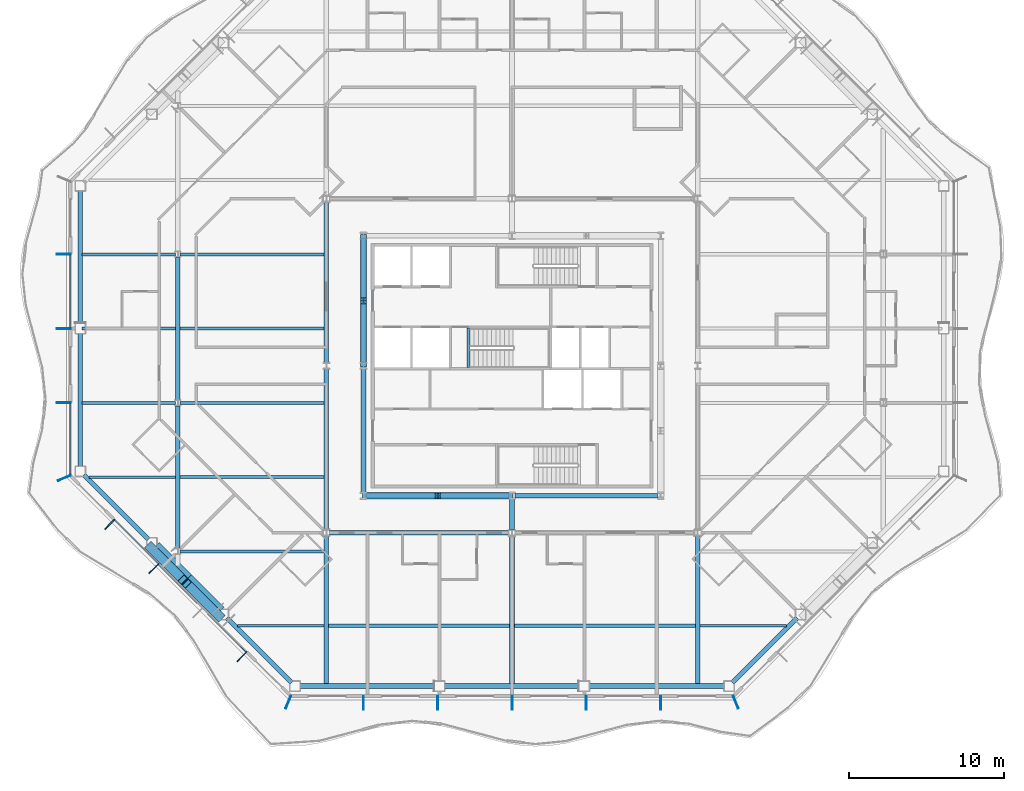
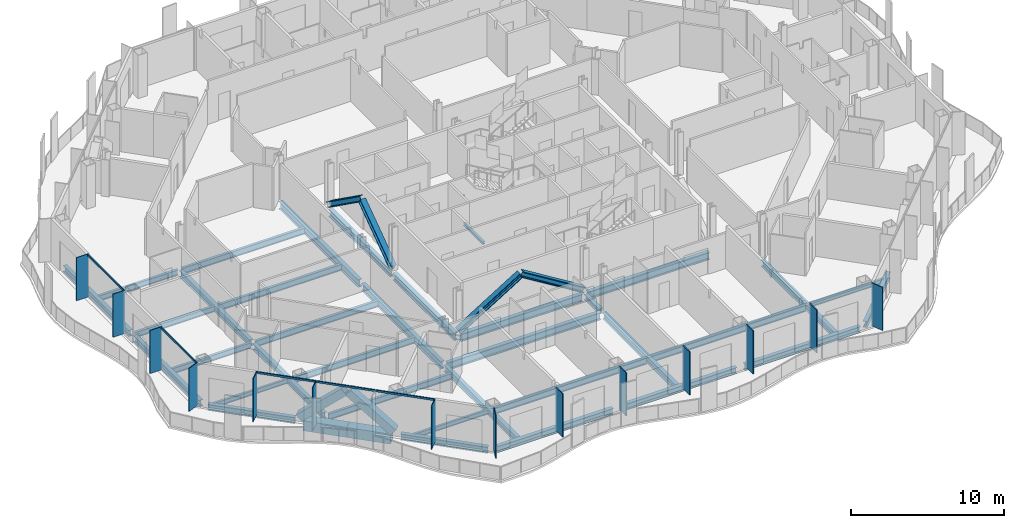
# One storey, part 3 of 21: 37 beams, 25 members, 4 elements without a shape of their own.
"""IFC4 building model written with IfcOpenShell, lengths in metres."""

import ifcopenshell
import ifcopenshell.guid

model = None  # the IFC model being written
_history = None  # IfcOwnerHistory: only IFC2X3 demands one
_inside = {}  # id of a spatial element -> (the spatial element, [elements in it])
_under = {}  # id of a project, library or spatial element -> (it, [spatial elements below it])
_declared = {}  # id of a project -> (the project, [libraries it declares])
_typed = {}  # id of a type object -> (the type object, [elements of that type])
_made_of = {}  # id of a material, layer set ... -> (it, [elements and type objects made of it])


def new_model(schema):
    """Start an empty IFC model of exactly this schema.

    Asked for "IFC4X3", IfcOpenShell would pick the latest addendum, in which some entities
    have other attributes; the version numbers below select the first issue.
    IFC2X3 requires an IfcOwnerHistory on every rooted entity: one is made here for all.
    """
    global model, _history
    if schema == "IFC4X3":
        model = ifcopenshell.file(schema_version=(4, 3, 0, 0))
    else:
        model = ifcopenshell.file(schema=schema)
    _inside.clear()
    _under.clear()
    _declared.clear()
    _typed.clear()
    _made_of.clear()
    _history = None
    if model.schema == "IFC2X3":
        org = make("IfcOrganization", Name="unknown")
        user = make(
            "IfcPersonAndOrganization",
            ThePerson=make("IfcPerson", FamilyName="unknown"),
            TheOrganization=org,
        )
        app = make(
            "IfcApplication",
            ApplicationDeveloper=org,
            Version="unknown",
            ApplicationFullName="unknown",
            ApplicationIdentifier="unknown",
        )
        _history = make(
            "IfcOwnerHistory",
            OwningUser=user,
            OwningApplication=app,
            ChangeAction="ADDED",
            CreationDate=0,
        )
    return model


def make(cls, **values):
    """One entity of the class cls with the attributes given. An attribute that is None is left unset."""
    return model.create_entity(
        cls, **{name: value for name, value in values.items() if value is not None}
    )


def rooted(cls, **values):
    """An entity with a GlobalId (a new one), such as an element, a storey or a relation."""
    return make(cls, GlobalId=ifcopenshell.guid.new(), OwnerHistory=_history, **values)


def si_unit(unit_type, name, prefix=None):
    """IfcSIUnit, for example si_unit("LENGTHUNIT", "METRE", prefix="MILLI")."""
    return make("IfcSIUnit", UnitType=unit_type, Prefix=prefix, Name=name)


def assignment(units):
    """IfcUnitAssignment: the units of a project."""
    return None if units is None else make("IfcUnitAssignment", Units=units)


def point(xyz):
    """IfcCartesianPoint."""
    return None if xyz is None else make("IfcCartesianPoint", Coordinates=xyz)


def direction(xyz):
    """IfcDirection."""
    return None if xyz is None else make("IfcDirection", DirectionRatios=xyz)


def frame(location, z_axis=None, x_axis=None):
    """IfcAxis2Placement3D, a coordinate frame: its origin and axes. An axis left out is left unset."""
    return make(
        "IfcAxis2Placement3D",
        Location=point(location),
        Axis=direction(z_axis),
        RefDirection=direction(x_axis),
    )


def frame_2d(location, x_axis=None):
    """IfcAxis2Placement2D, a coordinate frame in the plane: its origin and x axis."""
    return make(
        "IfcAxis2Placement2D", Location=point(location), RefDirection=direction(x_axis)
    )


def origin():
    """The frame at (0, 0, 0) with its axes left unset."""
    return frame((0.0, 0.0, 0.0))


def origin_2d():
    """The frame at (0, 0) in the plane with its x axis left unset."""
    return frame_2d((0.0, 0.0))


def place(relative_to, where):
    """IfcLocalPlacement: puts the frame where relative to a parent placement (None: the world)."""
    return make(
        "IfcLocalPlacement", PlacementRelTo=relative_to, RelativePlacement=where
    )


def context(
    kind, dimensions, precision=None, world=None, true_north=None, identifier=None
):
    """IfcGeometricRepresentationContext, for example the 3D "Model" context."""
    return make(
        "IfcGeometricRepresentationContext",
        ContextIdentifier=identifier,
        ContextType=kind,
        CoordinateSpaceDimension=dimensions,
        Precision=precision,
        WorldCoordinateSystem=world,
        TrueNorth=true_north,
    )


def subcontext(parent, identifier, kind, view, scale=None):
    """IfcGeometricRepresentationSubContext, for example "Body" below "Model"."""
    return make(
        "IfcGeometricRepresentationSubContext",
        ContextIdentifier=identifier,
        ContextType=kind,
        ParentContext=parent,
        TargetScale=scale,
        TargetView=view,
    )


def project(units=None, contexts=None):
    """IfcProject with its units and contexts."""
    return rooted(
        "IfcProject",
        Name="project",
        RepresentationContexts=contexts,
        UnitsInContext=assignment(units),
    )


def spatial(cls, under=None, at=None, **own):
    """A site, building, storey or space (cls), placed at a placement, below another one or the project."""
    s = rooted(cls, ObjectPlacement=at, **own)
    if under is not None:
        _under.setdefault(under.id(), (under, []))[1].append(s)
    return s


def profile(cls, at=None, kind="AREA", **sizes):
    """A parametric profile (cls). Its sizes go by their IFC names, for example OverallWidth=200.0."""
    return make(cls, ProfileType=kind, Position=at, **sizes)


def rectangle(**sizes):
    """IfcRectangleProfileDef."""
    return profile("IfcRectangleProfileDef", **sizes)


def hollow_rectangle(**sizes):
    """IfcRectangleHollowProfileDef."""
    return profile("IfcRectangleHollowProfileDef", **sizes)


def i_section(**sizes):
    """IfcIShapeProfileDef."""
    return profile("IfcIShapeProfileDef", **sizes)


def extrude(swept, where, along, depth):
    """IfcExtrudedAreaSolid: the profile swept, set in the frame where, extruded along a direction by depth."""
    return make(
        "IfcExtrudedAreaSolid",
        SweptArea=swept,
        Position=where,
        ExtrudedDirection=direction(along),
        Depth=depth,
    )


def shape(context_of_items, identifier, shape_type, items):
    """IfcShapeRepresentation: the items that make up one representation, for example the "Body"."""
    return make(
        "IfcShapeRepresentation",
        ContextOfItems=context_of_items,
        RepresentationIdentifier=identifier,
        RepresentationType=shape_type,
        Items=items,
    )


def material(Name=None, Category=None):
    """IfcMaterial."""
    return make("IfcMaterial", Name=Name, Category=Category)


def material_profile(
    of_material, cross_section, Name=None, Category=None, Priority=None
):
    """IfcMaterialProfile: a cross section and its material."""
    return make(
        "IfcMaterialProfile",
        Name=Name,
        Material=of_material,
        Profile=cross_section,
        Priority=Priority,
        Category=Category,
    )


def profile_set(profiles, Name=None, composite=None):
    """IfcMaterialProfileSet."""
    return make(
        "IfcMaterialProfileSet",
        Name=Name,
        MaterialProfiles=profiles,
        CompositeProfile=composite,
    )


def made_of(thing, what):
    """Note that an element or type object is made of a material, layer set ...; save() writes the relation."""
    if what is not None:
        _made_of.setdefault(what.id(), (what, []))[1].append(thing)
    return thing


def type_object(cls, material=None, **own):
    """A type object (cls), such as IfcWallType, which elements share."""
    return made_of(rooted(cls, **own), material)


def element(
    cls,
    number,
    at=None,
    inside=None,
    cuts=None,
    type_object=None,
    material=None,
    context=None,
    identifier="Body",
    shape_type=None,
    held_by="IfcProductDefinitionShape",
    body=None,
    shapes=None,
    **own,
):
    """One element of the class cls, such as IfcWall. Its Tag is "e" and its number.

    at: its placement. inside: the storey or other place that contains it. cuts: it is an
    opening in that element (IfcRelVoidsElement). A single representation is given by context,
    identifier, shape_type and body (its items); several are given by shapes. held_by: the class
    of the entity that holds the representations. save() writes the other relations.
    """
    e = rooted(cls, Tag="e%d" % number, ObjectPlacement=at, **own)
    if body is not None:
        shapes = [shape(context, identifier, shape_type, body)]
    if shapes is not None:
        e.Representation = make(held_by, Representations=shapes)
    if inside is not None:
        _inside.setdefault(inside.id(), (inside, []))[1].append(e)
    if cuts is not None:
        rooted(
            "IfcRelVoidsElement", RelatingBuildingElement=cuts, RelatedOpeningElement=e
        )
    if type_object is not None:
        _typed.setdefault(type_object.id(), (type_object, []))[1].append(e)
    return made_of(e, material)


def aggregate(whole, parts):
    """IfcRelAggregates: a whole, such as a stair, and the parts it consists of."""
    return rooted("IfcRelAggregates", RelatingObject=whole, RelatedObjects=parts)


def save(model, path):
    """Write the relations noted so far, then the file.

    IfcRelAggregates (storeys below a building ...), IfcRelContainedInSpatialStructure (elements
    in a storey), IfcRelDefinesByType, IfcRelAssociatesMaterial and IfcRelDeclares: one each for
    every whole, place, type object, material and project.
    """
    for whole, parts in _under.values():
        aggregate(whole, parts)
    for where, things in _inside.values():
        rooted(
            "IfcRelContainedInSpatialStructure",
            RelatedElements=things,
            RelatingStructure=where,
        )
    for kind, things in _typed.values():
        rooted("IfcRelDefinesByType", RelatedObjects=things, RelatingType=kind)
    for what, things in _made_of.values():
        rooted("IfcRelAssociatesMaterial", RelatedObjects=things, RelatingMaterial=what)
    for by, libraries in _declared.values():
        rooted("IfcRelDeclares", RelatingContext=by, RelatedDefinitions=libraries)
    model.write(path)


model = new_model("IFC4")

# Units and contexts
model_context = context("Model", 3, precision=1e-05, world=origin(), true_north=direction((0.0, 1.0)))
body_context = subcontext(model_context, "Body", "Model", "MODEL_VIEW")
ifc_project = project(units=[si_unit("LENGTHUNIT", "METRE"), si_unit("AREAUNIT", "SQUARE_METRE"), si_unit("VOLUMEUNIT", "CUBIC_METRE"), si_unit("PLANEANGLEUNIT", "RADIAN"), si_unit("MASSUNIT", "GRAM", prefix="KILO")], contexts=[model_context])

# Site, building, storey
site_placement = place(None, origin())
site = spatial("IfcSite", under=ifc_project, at=site_placement, CompositionType="ELEMENT")
building_placement = place(site_placement, origin())
building = spatial("IfcBuilding", under=site, at=building_placement, Name="Cairn Pilgrim Tower", CompositionType="ELEMENT")
storey_placement = place(building_placement, frame((0.0, 0.0, 139.800048828125)))
storey = spatial("IfcBuildingStorey", under=building, at=storey_placement, Name="L34", CompositionType="ELEMENT", Elevation=139.800048828125)

# Members
ifc_material_1 = material(Name="Structural steel S460M", Category="steel")
ifc_material_profile_1 = material_profile(ifc_material_1, hollow_rectangle(XDim=0.60009765625, YDim=0.60009765625, WallThickness=0.034912109375, at=origin_2d()), Name="BOX 600x600x35")
ifc_profile_set_1 = profile_set([ifc_material_profile_1], Name="Structural steel S460M")
member_type_1 = type_object("IfcMemberType", Name="BOX 600x600x35 BRACE", PredefinedType="BRACE", material=ifc_profile_set_1)
for number, where, z_axis, x_axis, name in (
    (1, (-16.213623046875, -9.288330078125, 0.14990234375), (0.535555986925, -0.535555986925, 0.652962150311), (0.707106781187, 0.707106781187, 0.0), "XB-SW2-SW3-1"),
    (2, (-11.6884765625, -13.813720703125, 0.14990234375), (-0.535512846393, 0.535573335815, 0.652983302476), (-0.707146713802, -0.707066846316, 0.0), "XB-SW2-SW3-2"),
):
    element("IfcMember", number, at=place(storey_placement, frame(where, z_axis=z_axis, x_axis=x_axis)), inside=storey, type_object=member_type_1, Name=name, PredefinedType="BRACE", context=body_context, shape_type="SweptSolid", body=[
        extrude(hollow_rectangle(XDim=0.60009765625, YDim=0.60009765625, WallThickness=0.034912109375, at=origin_2d()), origin(), (0.0, 0.0, 1.0), 4.0361328125),
    ])

# Beams
ifc_material_2 = material(Name="Structural steel S355J2", Category="steel")
ifc_material_profile_2 = material_profile(ifc_material_2, hollow_rectangle(XDim=0.699951171875, YDim=0.800048828125, WallThickness=0.0400390625, at=origin_2d()), Name="BOX 700x800x40")
ifc_profile_set_2 = profile_set([ifc_material_profile_2], Name="Structural steel S355J2")
beam_type_1 = type_object("IfcBeamType", Name="BOX 700x800x40 RING GIRDER", PredefinedType="SPANDREL", material=ifc_profile_set_2)
for number, where, z_axis, x_axis, name in (
    (3, (-15.85302734375, -9.274169921875, -0.550048828125), (0.707106781187, -0.707106781187, 0.0), (0.707106781187, 0.707106781187, 0.0), "RG2-SW2-SW3-1"),
    (4, (-13.763671875, -11.363525390625, -0.550048828125), (0.707106781187, -0.707106781187, 0.0), (0.707106781187, 0.707106781187, 0.0), "RG2-SW2-SW3-2"),
):
    element("IfcBeam", number, at=place(storey_placement, frame(where, z_axis=z_axis, x_axis=x_axis)), inside=storey, type_object=beam_type_1, Name=name, PredefinedType="SPANDREL", context=body_context, shape_type="SweptSolid", body=[
        extrude(hollow_rectangle(XDim=0.699951171875, YDim=0.800048828125, WallThickness=0.0400390625, at=origin_2d()), origin(), (0.0, 0.0, 1.0), 2.954833984375),
    ])

# Curtain wall, members
ifc_material_3 = material(Name="Aluminium alloy 6063-T6 bronze anodised with Bronze tinted laminated low-E glass 8+16+8.8", Category="aluminium")
curtain_wall_type_1 = type_object("IfcCurtainWallType", Name="TOWER STICK CURTAIN WALL NS", PredefinedType="NOTDEFINED", material=ifc_material_3)
curtain_wall_1_placement = place(storey_placement, origin())
curtain_wall_1 = element("IfcCurtainWall", 5, at=curtain_wall_1_placement, inside=storey, type_object=curtain_wall_type_1, Name="Tower Stick Curtain Wall Ns S", PredefinedType="NOTDEFINED")
ifc_material_4 = material(Name="Aluminium alloy 6063-T6 bronze anodised", Category="aluminium")
ifc_material_profile_3 = material_profile(ifc_material_4, rectangle(XDim=0.89990234375, YDim=0.06005859375, at=origin_2d()), Name="FIN MULLION 60x900 BRONZE")
ifc_profile_set_3 = profile_set([ifc_material_profile_3], Name="Aluminium alloy 6063-T6 bronze anodised")
member_type_2 = type_object("IfcMemberType", Name="FIN MULLION 60x900 BRONZE", PredefinedType="MULLION", material=ifc_profile_set_3)
member_1_placement = place(storey_placement, frame((-7.257080078125, -19.338134765625, 0.0), z_axis=(0.0, 0.0, 1.0), x_axis=(-0.382683432365, -0.923879532511, 0.0)))
member_1 = element("IfcMember", 6, at=member_1_placement, type_object=member_type_2, Name="Fin mullion S1", PredefinedType="MULLION", context=body_context, shape_type="SweptSolid", body=[
    extrude(rectangle(XDim=0.89990234375, YDim=0.06005859375, at=origin_2d()), origin(), (0.0, 0.0, 1.0), 3.449951171875),
])
member_2_placement = place(storey_placement, frame((-2.39990234375, -19.3701171875, 0.0), z_axis=(0.0, 0.0, 1.0), x_axis=(0.0, -1.0, 0.0)))
member_2 = element("IfcMember", 7, at=member_2_placement, type_object=member_type_2, Name="Fin mullion S2", PredefinedType="MULLION", context=body_context, shape_type="SweptSolid", body=[
    extrude(rectangle(XDim=0.89990234375, YDim=0.06005859375, at=origin_2d()), origin(), (0.0, 0.0, 1.0), 3.449951171875),
])
member_3_placement = place(storey_placement, frame((2.39990234375, -19.3701171875, 0.0), z_axis=(0.0, 0.0, 1.0), x_axis=(0.0, -1.0, 0.0)))
member_3 = element("IfcMember", 8, at=member_3_placement, type_object=member_type_2, Name="Fin mullion S3", PredefinedType="MULLION", context=body_context, shape_type="SweptSolid", body=[
    extrude(rectangle(XDim=0.89990234375, YDim=0.06005859375, at=origin_2d()), origin(), (0.0, 0.0, 1.0), 3.449951171875),
])
member_4_placement = place(storey_placement, frame((7.199951171875, -19.3701171875, 0.0), z_axis=(0.0, 0.0, 1.0), x_axis=(0.0, -1.0, 0.0)))
member_4 = element("IfcMember", 9, at=member_4_placement, type_object=member_type_2, Name="Fin mullion S4", PredefinedType="MULLION", context=body_context, shape_type="SweptSolid", body=[
    extrude(rectangle(XDim=0.89990234375, YDim=0.06005859375, at=origin_2d()), origin(), (0.0, 0.0, 1.0), 3.449951171875),
])
member_5_placement = place(storey_placement, frame((12.0, -19.3701171875, 0.0), z_axis=(0.0, 0.0, 1.0), x_axis=(0.0, -1.0, 0.0)))
member_5 = element("IfcMember", 10, at=member_5_placement, type_object=member_type_2, Name="Fin mullion S5", PredefinedType="MULLION", context=body_context, shape_type="SweptSolid", body=[
    extrude(rectangle(XDim=0.89990234375, YDim=0.06005859375, at=origin_2d()), origin(), (0.0, 0.0, 1.0), 3.449951171875),
])
member_6_placement = place(storey_placement, frame((16.800048828125, -19.3701171875, 0.0), z_axis=(0.0, 0.0, 1.0), x_axis=(0.0, -1.0, 0.0)))
member_6 = element("IfcMember", 11, at=member_6_placement, type_object=member_type_2, Name="Fin mullion S6", PredefinedType="MULLION", context=body_context, shape_type="SweptSolid", body=[
    extrude(rectangle(XDim=0.89990234375, YDim=0.06005859375, at=origin_2d()), origin(), (0.0, 0.0, 1.0), 3.449951171875),
])
aggregate(curtain_wall_1, [member_1, member_2, member_3, member_4, member_5, member_6])

# Curtain wall, member
curtain_wall_type_2 = type_object("IfcCurtainWallType", Name="CHAMFER CORNER CURTAIN WALL", PredefinedType="NOTDEFINED", material=ifc_material_3)
curtain_wall_2_placement = place(storey_placement, origin())
curtain_wall_2 = element("IfcCurtainWall", 12, at=curtain_wall_2_placement, inside=storey, type_object=curtain_wall_type_2, Name="Chamfer Corner Curtain Wall SE", PredefinedType="NOTDEFINED")
member_7_placement = place(storey_placement, frame((21.6572265625, -19.338134765625, 0.0), z_axis=(0.0, 0.0, 1.0), x_axis=(0.382683432365, -0.923879532511, 0.0)))
member_7 = element("IfcMember", 13, at=member_7_placement, type_object=member_type_2, Name="Fin mullion SE1", PredefinedType="MULLION", context=body_context, shape_type="SweptSolid", body=[
    extrude(rectangle(XDim=0.89990234375, YDim=0.06005859375, at=origin_2d()), origin(), (0.0, 0.0, 1.0), 3.449951171875),
])
aggregate(curtain_wall_2, [member_7])

# Curtain wall, members
curtain_wall_type_3 = type_object("IfcCurtainWallType", Name="TOWER STICK CURTAIN WALL EW", PredefinedType="NOTDEFINED", material=ifc_material_3)
curtain_wall_3_placement = place(storey_placement, origin())
curtain_wall_3 = element("IfcCurtainWall", 14, at=curtain_wall_3_placement, inside=storey, type_object=curtain_wall_type_3, Name="Tower Stick Curtain Wall Ew W", PredefinedType="NOTDEFINED")
member_8_placement = place(storey_placement, frame((-21.77001953125, 9.60009765625, 0.0), z_axis=(0.0, 0.0, 1.0), x_axis=(-1.0, 0.0, 0.0)))
member_8 = element("IfcMember", 15, at=member_8_placement, type_object=member_type_2, Name="Fin mullion W2", PredefinedType="MULLION", context=body_context, shape_type="SweptSolid", body=[
    extrude(rectangle(XDim=0.89990234375, YDim=0.06005859375, at=origin_2d()), origin(), (0.0, 0.0, 1.0), 3.449951171875),
])
member_9_placement = place(storey_placement, frame((-21.77001953125, 4.800048828125, 0.0), z_axis=(0.0, 0.0, 1.0), x_axis=(-1.0, 0.0, 0.0)))
member_9 = element("IfcMember", 16, at=member_9_placement, type_object=member_type_2, Name="Fin mullion W3", PredefinedType="MULLION", context=body_context, shape_type="SweptSolid", body=[
    extrude(rectangle(XDim=0.89990234375, YDim=0.06005859375, at=origin_2d()), origin(), (0.0, 0.0, 1.0), 3.449951171875),
])
member_10_placement = place(storey_placement, frame((-21.77001953125, 0.0, 0.0), z_axis=(0.0, 0.0, 1.0), x_axis=(-1.0, 0.0, 0.0)))
member_10 = element("IfcMember", 17, at=member_10_placement, type_object=member_type_2, Name="Fin mullion W4", PredefinedType="MULLION", context=body_context, shape_type="SweptSolid", body=[
    extrude(rectangle(XDim=0.89990234375, YDim=0.06005859375, at=origin_2d()), origin(), (0.0, 0.0, 1.0), 3.449951171875),
])

curtain_wall_4_placement = place(storey_placement, origin())
curtain_wall_4 = element("IfcCurtainWall", 18, at=curtain_wall_4_placement, inside=storey, type_object=curtain_wall_type_2, Name="Chamfer Corner Curtain Wall SW", PredefinedType="NOTDEFINED")
member_11_placement = place(storey_placement, frame((-21.738037109375, -4.857177734375, 0.0), z_axis=(0.0, 0.0, 1.0), x_axis=(-0.923879532511, -0.382683432365, 0.0)))
member_11 = element("IfcMember", 19, at=member_11_placement, type_object=member_type_2, Name="Fin mullion SW1", PredefinedType="MULLION", context=body_context, shape_type="SweptSolid", body=[
    extrude(rectangle(XDim=0.89990234375, YDim=0.06005859375, at=origin_2d()), origin(), (0.0, 0.0, 1.0), 3.449951171875),
])
member_12_placement = place(storey_placement, frame((-18.79638671875, -7.84423828125, 0.0), z_axis=(0.0, 0.0, 1.0), x_axis=(-0.707106781187, -0.707106781187, 0.0)))
member_12 = element("IfcMember", 20, at=member_12_placement, type_object=member_type_2, Name="Fin mullion SW2", PredefinedType="MULLION", context=body_context, shape_type="SweptSolid", body=[
    extrude(rectangle(XDim=0.89990234375, YDim=0.06005859375, at=origin_2d()), origin(), (0.0, 0.0, 1.0), 3.449951171875),
])
member_13_placement = place(storey_placement, frame((-15.945556640625, -10.69482421875, 0.0), z_axis=(0.0, 0.0, 1.0), x_axis=(-0.707106781187, -0.707106781187, 0.0)))
member_13 = element("IfcMember", 21, at=member_13_placement, type_object=member_type_2, Name="Fin mullion SW3", PredefinedType="MULLION", context=body_context, shape_type="SweptSolid", body=[
    extrude(rectangle(XDim=0.89990234375, YDim=0.06005859375, at=origin_2d()), origin(), (0.0, 0.0, 1.0), 3.449951171875),
])
member_14_placement = place(storey_placement, frame((-10.244140625, -16.396240234375, 0.0), z_axis=(0.0, 0.0, 1.0), x_axis=(-0.707106781187, -0.707106781187, 0.0)))
member_14 = element("IfcMember", 22, at=member_14_placement, type_object=member_type_2, Name="Fin mullion SW5", PredefinedType="MULLION", context=body_context, shape_type="SweptSolid", body=[
    extrude(rectangle(XDim=0.89990234375, YDim=0.06005859375, at=origin_2d()), origin(), (0.0, 0.0, 1.0), 3.449951171875),
])

# Members
ifc_material_profile_4 = material_profile(ifc_material_1, i_section(OverallWidth=0.408935546875, OverallDepth=0.425048828125, WebThickness=0.03271484375, FlangeThickness=0.052490234375, FilletRadius=0.014892578125, at=origin_2d()), Name="HD 400x421")
ifc_profile_set_4 = profile_set([ifc_material_profile_4], Name="Structural steel S460M")
member_type_3 = type_object("IfcMemberType", Name="HD 400x421 BRACE", PredefinedType="BRACE", material=ifc_profile_set_4)
member_15_placement = place(storey_placement, frame((-2.357666015625, -6.0, 0.099853515625), z_axis=(0.851063308605, 0.0, 0.525063086444), x_axis=(0.0, 1.0, 0.0)))
element("IfcMember", 23, at=member_15_placement, inside=storey, type_object=member_type_3, Name="KB-1A", PredefinedType="BRACE", context=body_context, shape_type="SweptSolid", body=[
    extrude(i_section(OverallWidth=0.408935546875, OverallDepth=0.425048828125, WebThickness=0.03271484375, FlangeThickness=0.052490234375, FilletRadius=0.014892578125, at=origin_2d()), origin(), (0.0, 0.0, 1.0), 5.527587890625),
])
member_16_placement = place(storey_placement, frame((7.15771484375, -6.0, 0.099853515625), z_axis=(-0.851075484508, 0.0, 0.525043350277), x_axis=(0.0, -1.0, 0.0)))
element("IfcMember", 24, at=member_16_placement, inside=storey, type_object=member_type_3, Name="KB-1B", PredefinedType="BRACE", context=body_context, shape_type="SweptSolid", body=[
    extrude(i_section(OverallWidth=0.408935546875, OverallDepth=0.425048828125, WebThickness=0.03271484375, FlangeThickness=0.052490234375, FilletRadius=0.014892578125, at=origin_2d()), origin(), (0.0, 0.0, 1.0), 5.52783203125),
])
for number, where, z_axis, x_axis, name in (
    (25, (-2.39990234375, 10.757568359375, 0.099853515625), (0.0, -0.814281054922, 0.58047081201), (1.0, 0.0, 0.0), "KB-4A"),
    (26, (-2.39990234375, 2.4423828125, 0.099853515625), (0.0, 0.814281054922, 0.58047081201), (-1.0, 0.0, 0.0), "KB-4B"),
):
    element("IfcMember", number, at=place(storey_placement, frame(where, z_axis=z_axis, x_axis=x_axis)), inside=storey, type_object=member_type_3, Name=name, PredefinedType="BRACE", context=body_context, shape_type="SweptSolid", body=[
        extrude(i_section(OverallWidth=0.408935546875, OverallDepth=0.425048828125, WebThickness=0.03271484375, FlangeThickness=0.052490234375, FilletRadius=0.014892578125, at=origin_2d()), origin(), (0.0, 0.0, 1.0), 4.99755859375),
    ])

# Beams
ifc_material_profile_5 = material_profile(ifc_material_2, i_section(OverallWidth=0.300048828125, OverallDepth=0.39990234375, WebThickness=0.013427734375, FlangeThickness=0.02392578125, FilletRadius=0.027099609375, at=origin_2d()), Name="HEB 400")
ifc_profile_set_5 = profile_set([ifc_material_profile_5], Name="Structural steel S355J2")
beam_type_2 = type_object("IfcBeamType", Name="HEB 400 GIRDER", PredefinedType="BEAM", material=ifc_profile_set_5)
beam_1_placement = place(storey_placement, frame((7.199951171875, -8.195556640625, -0.35009765625), z_axis=(0.0, 1.0, 0.0), x_axis=(-1.0, 0.0, 0.0)))
element("IfcBeam", 27, at=beam_1_placement, inside=storey, type_object=beam_type_2, Name="PG3-E1", PredefinedType="BEAM", context=body_context, shape_type="SweptSolid", body=[
    extrude(i_section(OverallWidth=0.300048828125, OverallDepth=0.39990234375, WebThickness=0.013427734375, FlangeThickness=0.02392578125, FilletRadius=0.027099609375, at=origin_2d()), origin(), (0.0, 0.0, 1.0), 1.983642578125),
])
ifc_material_profile_6 = material_profile(ifc_material_2, i_section(OverallWidth=0.300048828125, OverallDepth=0.5, WebThickness=0.014404296875, FlangeThickness=0.028076171875, FilletRadius=0.027099609375, at=origin_2d()), Name="HEB 500")
ifc_profile_set_6 = profile_set([ifc_material_profile_6], Name="Structural steel S355J2")
beam_type_3 = type_object("IfcBeamType", Name="HEB 500 GIRDER", PredefinedType="BEAM", material=ifc_profile_set_6)
for number, where, z_axis, x_axis, name in (
    (28, (-14.39990234375, -9.400390625, -0.400146484375), (0.0, 1.0, 0.0), (-1.0, 0.0, 0.0), "PG1-1"),
    (29, (-14.39990234375, 0.199462890625, -0.400146484375), (0.0, 1.0, 0.0), (-1.0, 0.0, 0.0), "PG1-2"),
):
    element("IfcBeam", number, at=place(storey_placement, frame(where, z_axis=z_axis, x_axis=x_axis)), inside=storey, type_object=beam_type_3, Name=name, PredefinedType="BEAM", context=body_context, shape_type="SweptSolid", body=[
        extrude(i_section(OverallWidth=0.300048828125, OverallDepth=0.5, WebThickness=0.014404296875, FlangeThickness=0.028076171875, FilletRadius=0.027099609375, at=origin_2d()), origin(), (0.0, 0.0, 1.0), 9.200927734375),
    ])
for number, where, z_axis, x_axis, name in (
    (30, (-4.800048828125, -18.179931640625, -0.400146484375), (0.0, 1.0, 0.0), (-1.0, 0.0, 0.0), "PG2-1"),
    (31, (7.199951171875, -18.179931640625, -0.400146484375), (0.0, 1.0, 0.0), (-1.0, 0.0, 0.0), "PG3-1"),
    (32, (19.199951171875, -18.179931640625, -0.400146484375), (0.0, 1.0, 0.0), (-1.0, 0.0, 0.0), "PG4-1"),
):
    element("IfcBeam", number, at=place(storey_placement, frame(where, z_axis=z_axis, x_axis=x_axis)), inside=storey, type_object=beam_type_3, Name=name, PredefinedType="BEAM", context=body_context, shape_type="SweptSolid", body=[
        extrude(i_section(OverallWidth=0.300048828125, OverallDepth=0.5, WebThickness=0.014404296875, FlangeThickness=0.028076171875, FilletRadius=0.027099609375, at=origin_2d()), origin(), (0.0, 0.0, 1.0), 9.575439453125),
    ])
ifc_material_profile_7 = material_profile(ifc_material_2, i_section(OverallWidth=0.300048828125, OverallDepth=0.5, WebThickness=0.014404296875, FlangeThickness=0.028076171875, FilletRadius=0.027099609375, at=origin_2d()), Name="HEB 500")
ifc_profile_set_7 = profile_set([ifc_material_profile_7], Name="Structural steel S355J2")
beam_type_4 = type_object("IfcBeamType", Name="HEB 500 RING GIRDER", PredefinedType="SPANDREL", material=ifc_profile_set_7)
for number, where, z_axis, x_axis, name in (
    (33, (-6.51220703125, -18.300048828125, -0.400146484375), (1.0, 0.0, 0.0), (0.0, 1.0, 0.0), "RG2-S1-S2"),
    (34, (2.83935546875, -18.300048828125, -0.400146484375), (1.0, 0.0, 0.0), (0.0, 1.0, 0.0), "RG2-S2-S3"),
    (35, (12.190673828125, -18.300048828125, -0.400146484375), (1.0, 0.0, 0.0), (0.0, 1.0, 0.0), "RG2-S3-SE1"),
):
    element("IfcBeam", number, at=place(storey_placement, frame(where, z_axis=z_axis, x_axis=x_axis)), inside=storey, type_object=beam_type_4, Name=name, PredefinedType="SPANDREL", context=body_context, shape_type="SweptSolid", body=[
        extrude(i_section(OverallWidth=0.300048828125, OverallDepth=0.5, WebThickness=0.014404296875, FlangeThickness=0.028076171875, FilletRadius=0.027099609375, at=origin_2d()), origin(), (0.0, 0.0, 1.0), 8.721435546875),
    ])
beam_2_placement = place(storey_placement, frame((21.449951171875, -18.077392578125, -0.400146484375), z_axis=(0.707086125179, 0.707127436591, 0.0), x_axis=(-0.707127436591, 0.707086125179, 0.0)))
element("IfcBeam", 36, at=beam_2_placement, inside=storey, type_object=beam_type_4, Name="RG2-SE1-SE2", PredefinedType="SPANDREL", context=body_context, shape_type="SweptSolid", body=[
    extrude(i_section(OverallWidth=0.300048828125, OverallDepth=0.5, WebThickness=0.014404296875, FlangeThickness=0.028076171875, FilletRadius=0.027099609375, at=origin_2d()), origin(), (0.0, 0.0, 1.0), 5.90966796875),
])
beam_3_placement = place(storey_placement, frame((-20.699951171875, 13.712158203125, -0.400146484375), z_axis=(0.0, -1.0, 0.0), x_axis=(1.0, 0.0, 0.0)))
element("IfcBeam", 37, at=beam_3_placement, inside=storey, type_object=beam_type_4, Name="RG2-W1-W2", PredefinedType="SPANDREL", context=body_context, shape_type="SweptSolid", body=[
    extrude(i_section(OverallWidth=0.300048828125, OverallDepth=0.5, WebThickness=0.014404296875, FlangeThickness=0.028076171875, FilletRadius=0.027099609375, at=origin_2d()), origin(), (0.0, 0.0, 1.0), 8.59716796875),
])
beam_4_placement = place(storey_placement, frame((-20.699951171875, 4.485107421875, -0.400146484375), z_axis=(0.0, -1.0, 0.0), x_axis=(1.0, 0.0, 0.0)))
element("IfcBeam", 38, at=beam_4_placement, inside=storey, type_object=beam_type_4, Name="RG2-W2-SW1", PredefinedType="SPANDREL", context=body_context, shape_type="SweptSolid", body=[
    extrude(i_section(OverallWidth=0.300048828125, OverallDepth=0.5, WebThickness=0.014404296875, FlangeThickness=0.028076171875, FilletRadius=0.027099609375, at=origin_2d()), origin(), (0.0, 0.0, 1.0), 8.597412109375),
])
beam_5_placement = place(storey_placement, frame((-20.477294921875, -4.64990234375, -0.400146484375), z_axis=(0.707106781187, -0.707106781187, 0.0), x_axis=(0.707106781187, 0.707106781187, 0.0)))
element("IfcBeam", 39, at=beam_5_placement, inside=storey, type_object=beam_type_4, Name="RG2-SW1-SW2", PredefinedType="SPANDREL", context=body_context, shape_type="SweptSolid", body=[
    extrude(i_section(OverallWidth=0.300048828125, OverallDepth=0.5, WebThickness=0.014404296875, FlangeThickness=0.028076171875, FilletRadius=0.027099609375, at=origin_2d()), origin(), (0.0, 0.0, 1.0), 5.90966796875),
])
beam_6_placement = place(storey_placement, frame((-11.228759765625, -13.8984375, -0.400146484375), z_axis=(0.707106781187, -0.707106781187, 0.0), x_axis=(0.707106781187, 0.707106781187, 0.0)))
element("IfcBeam", 40, at=beam_6_placement, inside=storey, type_object=beam_type_4, Name="RG2-SW3-S1", PredefinedType="SPANDREL", context=body_context, shape_type="SweptSolid", body=[
    extrude(i_section(OverallWidth=0.300048828125, OverallDepth=0.5, WebThickness=0.014404296875, FlangeThickness=0.028076171875, FilletRadius=0.027099609375, at=origin_2d()), origin(), (0.0, 0.0, 1.0), 5.909912109375),
])
ifc_material_profile_8 = material_profile(ifc_material_2, i_section(OverallWidth=0.300048828125, OverallDepth=0.60009765625, WebThickness=0.015380859375, FlangeThickness=0.030029296875, FilletRadius=0.027099609375, at=origin_2d()), Name="HEB 600")
ifc_profile_set_8 = profile_set([ifc_material_profile_8], Name="Structural steel S355J2")
beam_type_5 = type_object("IfcBeamType", Name="HEB 600 CORE BEAM", PredefinedType="BEAM", material=ifc_profile_set_8)
beam_7_placement = place(storey_placement, frame((-2.209228515625, -6.0, -0.449951171875), z_axis=(1.0, 0.0, 0.0), x_axis=(0.0, 1.0, 0.0)))
element("IfcBeam", 41, at=beam_7_placement, inside=storey, type_object=beam_type_5, Name="CB-1", PredefinedType="BEAM", context=body_context, shape_type="SweptSolid", body=[
    extrude(i_section(OverallWidth=0.300048828125, OverallDepth=0.60009765625, WebThickness=0.015380859375, FlangeThickness=0.030029296875, FilletRadius=0.027099609375, at=origin_2d()), origin(), (0.0, 0.0, 1.0), 9.218505859375),
])
beam_8_placement = place(storey_placement, frame((7.390869140625, -6.0, -0.449951171875), z_axis=(1.0, 0.0, 0.0), x_axis=(0.0, 1.0, 0.0)))
element("IfcBeam", 42, at=beam_8_placement, inside=storey, type_object=beam_type_5, Name="CB-2", PredefinedType="BEAM", context=body_context, shape_type="SweptSolid", body=[
    extrude(i_section(OverallWidth=0.300048828125, OverallDepth=0.60009765625, WebThickness=0.015380859375, FlangeThickness=0.030029296875, FilletRadius=0.027099609375, at=origin_2d()), origin(), (0.0, 0.0, 1.0), 9.21826171875),
])
for number, where, z_axis, x_axis, name in (
    (43, (-2.39990234375, 10.609130859375, -0.449951171875), (0.0, -1.0, 0.0), (1.0, 0.0, 0.0), "CB-7"),
    (44, (-2.39990234375, 2.209228515625, -0.449951171875), (0.0, -1.0, 0.0), (1.0, 0.0, 0.0), "CB-8"),
):
    element("IfcBeam", number, at=place(storey_placement, frame(where, z_axis=z_axis, x_axis=x_axis)), inside=storey, type_object=beam_type_5, Name=name, PredefinedType="BEAM", context=body_context, shape_type="SweptSolid", body=[
        extrude(i_section(OverallWidth=0.300048828125, OverallDepth=0.60009765625, WebThickness=0.015380859375, FlangeThickness=0.030029296875, FilletRadius=0.027099609375, at=origin_2d()), origin(), (0.0, 0.0, 1.0), 8.018310546875),
    ])
ifc_material_profile_9 = material_profile(ifc_material_2, i_section(OverallWidth=0.300048828125, OverallDepth=0.60009765625, WebThickness=0.015380859375, FlangeThickness=0.030029296875, FilletRadius=0.027099609375, at=origin_2d()), Name="HEB 600")
ifc_profile_set_9 = profile_set([ifc_material_profile_9], Name="Structural steel S355J2")
beam_type_6 = type_object("IfcBeamType", Name="HEB 600 GIRDER", PredefinedType="BEAM", material=ifc_profile_set_9)
for number, where, z_axis, x_axis, name in (
    (45, (-4.800048828125, -8.195556640625, -0.449951171875), (0.0, 1.0, 0.0), (-1.0, 0.0, 0.0), "PG2-2"),
    (46, (-4.800048828125, 2.6044921875, -0.449951171875), (0.0, 1.0, 0.0), (-1.0, 0.0, 0.0), "PG2-3"),
):
    element("IfcBeam", number, at=place(storey_placement, frame(where, z_axis=z_axis, x_axis=x_axis)), inside=storey, type_object=beam_type_6, Name=name, PredefinedType="BEAM", context=body_context, shape_type="SweptSolid", body=[
        extrude(i_section(OverallWidth=0.300048828125, OverallDepth=0.60009765625, WebThickness=0.015380859375, FlangeThickness=0.030029296875, FilletRadius=0.027099609375, at=origin_2d()), origin(), (0.0, 0.0, 1.0), 10.39111328125),
    ])
ifc_material_profile_10 = material_profile(ifc_material_2, i_section(OverallWidth=0.300048828125, OverallDepth=0.60009765625, WebThickness=0.015380859375, FlangeThickness=0.030029296875, FilletRadius=0.027099609375, at=origin_2d()), Name="HEB 600")
ifc_profile_set_10 = profile_set([ifc_material_profile_10], Name="Structural steel S355J2")
beam_type_7 = type_object("IfcBeamType", Name="HEB 600 INNER GIRDER", PredefinedType="BEAM", material=ifc_profile_set_10)
beam_9_placement = place(storey_placement, frame((-4.595458984375, -8.39990234375, -0.449951171875), z_axis=(1.0, 0.0, 0.0), x_axis=(0.0, 1.0, 0.0)))
element("IfcBeam", 47, at=beam_9_placement, inside=storey, type_object=beam_type_7, Name="IG1-1", PredefinedType="BEAM", context=body_context, shape_type="SweptSolid", body=[
    extrude(i_section(OverallWidth=0.300048828125, OverallDepth=0.60009765625, WebThickness=0.015380859375, FlangeThickness=0.030029296875, FilletRadius=0.027099609375, at=origin_2d()), origin(), (0.0, 0.0, 1.0), 11.591064453125),
])
ifc_material_profile_11 = material_profile(ifc_material_2, i_section(OverallWidth=0.169921875, OverallDepth=0.360107421875, WebThickness=0.008056640625, FlangeThickness=0.0126953125, FilletRadius=0.01806640625, at=origin_2d()), Name="IPE 360")
ifc_profile_set_11 = profile_set([ifc_material_profile_11], Name="Structural steel S355J2")
beam_type_8 = type_object("IfcBeamType", Name="IPE 360 SECONDARY BEAM", PredefinedType="JOIST", material=ifc_profile_set_11)
beam_10_placement = place(storey_placement, frame((-10.545166015625, -14.39990234375, -0.330078125), z_axis=(1.0, 0.0, 0.0), x_axis=(0.0, 1.0, 0.0)))
element("IfcBeam", 48, at=beam_10_placement, inside=storey, type_object=beam_type_8, Name="SB1-1", PredefinedType="JOIST", context=body_context, shape_type="SweptSolid", body=[
    extrude(i_section(OverallWidth=0.169921875, OverallDepth=0.360107421875, WebThickness=0.008056640625, FlangeThickness=0.0126953125, FilletRadius=0.01806640625, at=origin_2d()), origin(), (0.0, 0.0, 1.0), 5.59521484375),
])
for number, where, z_axis, x_axis, name in (
    (49, (19.35009765625, -14.39990234375, -0.330078125), (1.0, 0.0, 0.0), (0.0, 1.0, 0.0), "SB1-4"),
    (50, (-20.14501953125, -4.800048828125, -0.330078125), (1.0, 0.0, 0.0), (0.0, 1.0, 0.0), "SB3-1"),
):
    element("IfcBeam", number, at=place(storey_placement, frame(where, z_axis=z_axis, x_axis=x_axis)), inside=storey, type_object=beam_type_8, Name=name, PredefinedType="JOIST", context=body_context, shape_type="SweptSolid", body=[
        extrude(i_section(OverallWidth=0.169921875, OverallDepth=0.360107421875, WebThickness=0.008056640625, FlangeThickness=0.0126953125, FilletRadius=0.01806640625, at=origin_2d()), origin(), (0.0, 0.0, 1.0), 5.594970703125),
    ])
ifc_material_profile_12 = material_profile(ifc_material_2, i_section(OverallWidth=0.18994140625, OverallDepth=0.449951171875, WebThickness=0.009521484375, FlangeThickness=0.0146484375, FilletRadius=0.02099609375, at=origin_2d()), Name="IPE 450")
ifc_profile_set_12 = profile_set([ifc_material_profile_12], Name="Structural steel S355J2")
beam_type_9 = type_object("IfcBeamType", Name="IPE 450 SECONDARY BEAM", PredefinedType="JOIST", material=ifc_profile_set_12)
for number, where, z_axis, x_axis, name in (
    (51, (-20.580078125, 0.0, -0.375), (1.0, 0.0, 0.0), (0.0, 1.0, 0.0), "SB4-1"),
    (52, (-20.580078125, 4.800048828125, -0.375), (1.0, 0.0, 0.0), (0.0, 1.0, 0.0), "SB5-1"),
    (53, (-20.580078125, 9.60009765625, -0.375), (1.0, 0.0, 0.0), (0.0, 1.0, 0.0), "SB6-1"),
):
    element("IfcBeam", number, at=place(storey_placement, frame(where, z_axis=z_axis, x_axis=x_axis)), inside=storey, type_object=beam_type_9, Name=name, PredefinedType="JOIST", context=body_context, shape_type="SweptSolid", body=[
        extrude(i_section(OverallWidth=0.18994140625, OverallDepth=0.449951171875, WebThickness=0.009521484375, FlangeThickness=0.0146484375, FilletRadius=0.02099609375, at=origin_2d()), origin(), (0.0, 0.0, 1.0), 6.030029296875),
    ])
ifc_material_profile_13 = material_profile(ifc_material_2, i_section(OverallWidth=0.199951171875, OverallDepth=0.5, WebThickness=0.01025390625, FlangeThickness=0.01611328125, FilletRadius=0.02099609375, at=origin_2d()), Name="IPE 500")
ifc_profile_set_13 = profile_set([ifc_material_profile_13], Name="Structural steel S355J2")
beam_type_10 = type_object("IfcBeamType", Name="IPE 500 SECONDARY BEAM", PredefinedType="JOIST", material=ifc_profile_set_13)
for number, where, z_axis, x_axis, name in (
    (54, (-14.25, -9.60009765625, -0.400146484375), (1.0, 0.0, 0.0), (0.0, 1.0, 0.0), "SB2-1"),
    (55, (-14.25, -4.800048828125, -0.400146484375), (1.0, 0.0, 0.0), (0.0, 1.0, 0.0), "SB3-2"),
    (56, (-14.25, 0.0, -0.400146484375), (1.0, 0.0, 0.0), (0.0, 1.0, 0.0), "SB4-2"),
    (57, (-14.25, 4.800048828125, -0.400146484375), (1.0, 0.0, 0.0), (0.0, 1.0, 0.0), "SB5-2"),
    (58, (-14.25, 9.60009765625, -0.400146484375), (1.0, 0.0, 0.0), (0.0, 1.0, 0.0), "SB6-2"),
):
    element("IfcBeam", number, at=place(storey_placement, frame(where, z_axis=z_axis, x_axis=x_axis)), inside=storey, type_object=beam_type_10, Name=name, PredefinedType="JOIST", context=body_context, shape_type="SweptSolid", body=[
        extrude(i_section(OverallWidth=0.199951171875, OverallDepth=0.5, WebThickness=0.01025390625, FlangeThickness=0.01611328125, FilletRadius=0.02099609375, at=origin_2d()), origin(), (0.0, 0.0, 1.0), 9.300048828125),
    ])
ifc_material_profile_14 = material_profile(ifc_material_2, i_section(OverallWidth=0.2099609375, OverallDepth=0.550048828125, WebThickness=0.010986328125, FlangeThickness=0.01708984375, FilletRadius=0.02392578125, at=origin_2d()), Name="IPE 550")
ifc_profile_set_14 = profile_set([ifc_material_profile_14], Name="Structural steel S355J2")
beam_type_11 = type_object("IfcBeamType", Name="IPE 550 SECONDARY BEAM", PredefinedType="JOIST", material=ifc_profile_set_14)
for number, where, z_axis, x_axis, name in (
    (59, (-4.64990234375, -14.39990234375, -0.425048828125), (1.0, 0.0, 0.0), (0.0, 1.0, 0.0), "SB1-2"),
    (60, (7.35009765625, -14.39990234375, -0.425048828125), (1.0, 0.0, 0.0), (0.0, 1.0, 0.0), "SB1-3"),
):
    element("IfcBeam", number, at=place(storey_placement, frame(where, z_axis=z_axis, x_axis=x_axis)), inside=storey, type_object=beam_type_11, Name=name, PredefinedType="JOIST", context=body_context, shape_type="SweptSolid", body=[
        extrude(i_section(OverallWidth=0.2099609375, OverallDepth=0.550048828125, WebThickness=0.010986328125, FlangeThickness=0.01708984375, FilletRadius=0.02392578125, at=origin_2d()), origin(), (0.0, 0.0, 1.0), 11.699951171875),
    ])
ifc_material_profile_15 = material_profile(ifc_material_2, i_section(OverallWidth=0.199951171875, OverallDepth=0.199951171875, WebThickness=0.009033203125, FlangeThickness=0.014892578125, FilletRadius=0.01806640625, at=origin_2d()), Name="HE 200 B")
ifc_profile_set_15 = profile_set([ifc_material_profile_15], Name="Structural steel S355J2")
beam_type_12 = type_object("IfcBeamType", Name="STAIR LANDING BEAM HE 200 B", PredefinedType="BEAM", material=ifc_profile_set_15)
beam_11_placement = place(storey_placement, frame((4.37548828125, 2.27490234375, -0.25), z_axis=(0.0, 1.0, 0.0), x_axis=(-1.0, 0.0, 0.0)))
element("IfcBeam", 61, at=beam_11_placement, inside=storey, type_object=beam_type_12, Name="STAIR LANDING BEAM LD-HE200B", PredefinedType="BEAM", context=body_context, shape_type="SweptSolid", body=[
    extrude(i_section(OverallWidth=0.199951171875, OverallDepth=0.199951171875, WebThickness=0.009033203125, FlangeThickness=0.014892578125, FilletRadius=0.01806640625, at=origin_2d()), origin(), (0.0, 0.0, 1.0), 2.550048828125),
])

# Member
ifc_material_profile_16 = material_profile(ifc_material_4, rectangle(XDim=0.080078125, YDim=0.14990234375, at=origin_2d()), Name="TRANSOM 80x150 BRONZE")
ifc_profile_set_16 = profile_set([ifc_material_profile_16], Name="Aluminium alloy 6063-T6 bronze anodised")
member_type_4 = type_object("IfcMemberType", Name="TRANSOM 80x150 BRONZE", PredefinedType="USERDEFINED", material=ifc_profile_set_16)
member_17_placement = place(storey_placement, frame((-21.35009765625, 9.570068359375, 3.375), z_axis=(0.0, -1.0, 0.0), x_axis=(1.0, 0.0, 0.0)))
member_17 = element("IfcMember", 62, at=member_17_placement, type_object=member_type_4, Name="Transom W2", ObjectType="TRANSOM", PredefinedType="USERDEFINED", context=body_context, shape_type="SweptSolid", body=[
    extrude(rectangle(XDim=0.080078125, YDim=0.14990234375, at=origin_2d()), origin(), (0.0, 0.0, 1.0), 4.739990234375),
])

member_18_placement = place(storey_placement, frame((-21.35009765625, -0.030029296875, 3.375), z_axis=(0.0, -1.0, 0.0), x_axis=(1.0, 0.0, 0.0)))
member_18 = element("IfcMember", 63, at=member_18_placement, type_object=member_type_4, Name="Transom W4", ObjectType="TRANSOM", PredefinedType="USERDEFINED", context=body_context, shape_type="SweptSolid", body=[
    extrude(rectangle(XDim=0.080078125, YDim=0.14990234375, at=origin_2d()), origin(), (0.0, 0.0, 1.0), 4.62646484375),
])

aggregate(curtain_wall_3, [member_8, member_9, member_10, member_17, member_18])

member_19_placement = place(storey_placement, frame((-18.47802734375, -7.568359375, 3.375), z_axis=(0.707106781187, -0.707106781187, 0.0), x_axis=(0.707106781187, 0.707106781187, 0.0)))
member_19 = element("IfcMember", 64, at=member_19_placement, type_object=member_type_4, Name="Transom SW2", ObjectType="TRANSOM", PredefinedType="USERDEFINED", context=body_context, shape_type="SweptSolid", body=[
    extrude(rectangle(XDim=0.080078125, YDim=0.14990234375, at=origin_2d()), origin(), (0.0, 0.0, 1.0), 3.9716796875),
])

member_20_placement = place(storey_placement, frame((-15.62744140625, -10.419189453125, 3.375), z_axis=(0.70713751761, -0.707076043427, 0.0), x_axis=(0.707076043427, 0.70713751761, 0.0)))
member_20 = element("IfcMember", 65, at=member_20_placement, type_object=member_type_4, Name="Transom SW3", ObjectType="TRANSOM", PredefinedType="USERDEFINED", context=body_context, shape_type="SweptSolid", body=[
    extrude(rectangle(XDim=0.080078125, YDim=0.14990234375, at=origin_2d()), origin(), (0.0, 0.0, 1.0), 3.971435546875),
])

member_21_placement = place(storey_placement, frame((-12.776611328125, -13.269775390625, 3.375), z_axis=(0.707106781187, -0.707106781187, 0.0), x_axis=(0.707106781187, 0.707106781187, 0.0)))
member_21 = element("IfcMember", 66, at=member_21_placement, type_object=member_type_4, Name="Transom SW4", ObjectType="TRANSOM", PredefinedType="USERDEFINED", context=body_context, shape_type="SweptSolid", body=[
    extrude(rectangle(XDim=0.080078125, YDim=0.14990234375, at=origin_2d()), origin(), (0.0, 0.0, 1.0), 3.9716796875),
])

aggregate(curtain_wall_4, [member_11, member_12, member_13, member_14, member_19, member_20, member_21])

save(model, "model.ifc")
